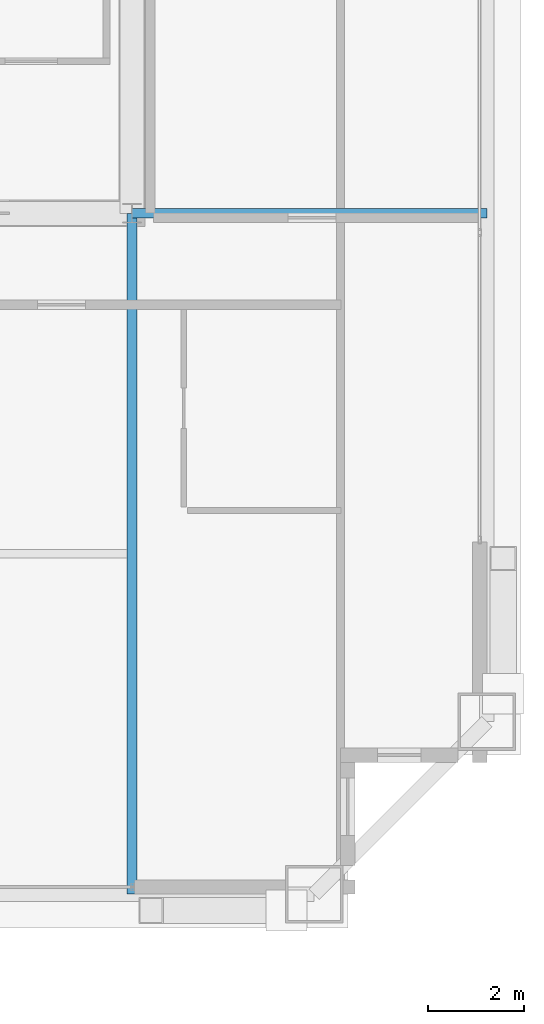
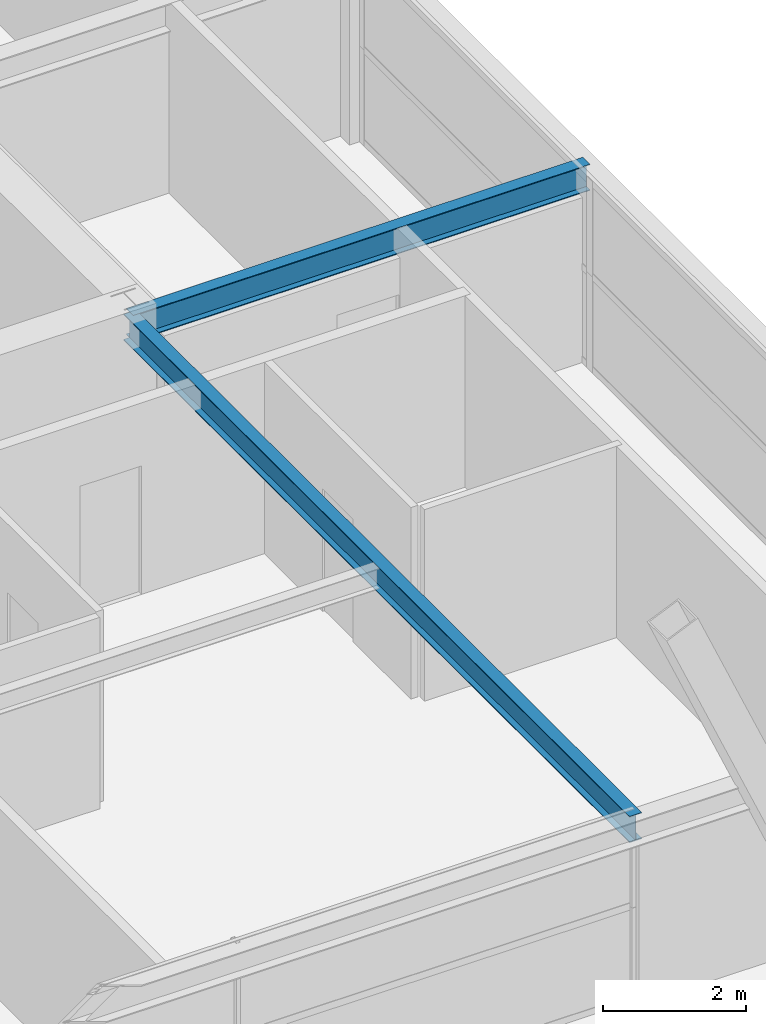
# One storey, part 14 of 34: 2 beams.
"""IFC4 building model written with IfcOpenShell, lengths in metres."""

import ifcopenshell
import ifcopenshell.guid

model = None  # the IFC model being written
_history = None  # IfcOwnerHistory: only IFC2X3 demands one
_inside = {}  # id of a spatial element -> (the spatial element, [elements in it])
_under = {}  # id of a project, library or spatial element -> (it, [spatial elements below it])
_declared = {}  # id of a project -> (the project, [libraries it declares])
_typed = {}  # id of a type object -> (the type object, [elements of that type])
_made_of = {}  # id of a material, layer set ... -> (it, [elements and type objects made of it])


def new_model(schema):
    """Start an empty IFC model of exactly this schema.

    Asked for "IFC4X3", IfcOpenShell would pick the latest addendum, in which some entities
    have other attributes; the version numbers below select the first issue.
    IFC2X3 requires an IfcOwnerHistory on every rooted entity: one is made here for all.
    """
    global model, _history
    if schema == "IFC4X3":
        model = ifcopenshell.file(schema_version=(4, 3, 0, 0))
    else:
        model = ifcopenshell.file(schema=schema)
    _inside.clear()
    _under.clear()
    _declared.clear()
    _typed.clear()
    _made_of.clear()
    _history = None
    if model.schema == "IFC2X3":
        org = make("IfcOrganization", Name="unknown")
        user = make(
            "IfcPersonAndOrganization",
            ThePerson=make("IfcPerson", FamilyName="unknown"),
            TheOrganization=org,
        )
        app = make(
            "IfcApplication",
            ApplicationDeveloper=org,
            Version="unknown",
            ApplicationFullName="unknown",
            ApplicationIdentifier="unknown",
        )
        _history = make(
            "IfcOwnerHistory",
            OwningUser=user,
            OwningApplication=app,
            ChangeAction="ADDED",
            CreationDate=0,
        )
    return model


def make(cls, **values):
    """One entity of the class cls with the attributes given. An attribute that is None is left unset."""
    return model.create_entity(
        cls, **{name: value for name, value in values.items() if value is not None}
    )


def rooted(cls, **values):
    """An entity with a GlobalId (a new one), such as an element, a storey or a relation."""
    return make(cls, GlobalId=ifcopenshell.guid.new(), OwnerHistory=_history, **values)


def si_unit(unit_type, name, prefix=None):
    """IfcSIUnit, for example si_unit("LENGTHUNIT", "METRE", prefix="MILLI")."""
    return make("IfcSIUnit", UnitType=unit_type, Prefix=prefix, Name=name)


def assignment(units):
    """IfcUnitAssignment: the units of a project."""
    return None if units is None else make("IfcUnitAssignment", Units=units)


def point(xyz):
    """IfcCartesianPoint."""
    return None if xyz is None else make("IfcCartesianPoint", Coordinates=xyz)


def direction(xyz):
    """IfcDirection."""
    return None if xyz is None else make("IfcDirection", DirectionRatios=xyz)


def frame(location, z_axis=None, x_axis=None):
    """IfcAxis2Placement3D, a coordinate frame: its origin and axes. An axis left out is left unset."""
    return make(
        "IfcAxis2Placement3D",
        Location=point(location),
        Axis=direction(z_axis),
        RefDirection=direction(x_axis),
    )


def frame_2d(location, x_axis=None):
    """IfcAxis2Placement2D, a coordinate frame in the plane: its origin and x axis."""
    return make(
        "IfcAxis2Placement2D", Location=point(location), RefDirection=direction(x_axis)
    )


def origin():
    """The frame at (0, 0, 0) with its axes left unset."""
    return frame((0.0, 0.0, 0.0))


def origin_2d():
    """The frame at (0, 0) in the plane with its x axis left unset."""
    return frame_2d((0.0, 0.0))


def place(relative_to, where):
    """IfcLocalPlacement: puts the frame where relative to a parent placement (None: the world)."""
    return make(
        "IfcLocalPlacement", PlacementRelTo=relative_to, RelativePlacement=where
    )


def context(
    kind, dimensions, precision=None, world=None, true_north=None, identifier=None
):
    """IfcGeometricRepresentationContext, for example the 3D "Model" context."""
    return make(
        "IfcGeometricRepresentationContext",
        ContextIdentifier=identifier,
        ContextType=kind,
        CoordinateSpaceDimension=dimensions,
        Precision=precision,
        WorldCoordinateSystem=world,
        TrueNorth=true_north,
    )


def subcontext(parent, identifier, kind, view, scale=None):
    """IfcGeometricRepresentationSubContext, for example "Body" below "Model"."""
    return make(
        "IfcGeometricRepresentationSubContext",
        ContextIdentifier=identifier,
        ContextType=kind,
        ParentContext=parent,
        TargetScale=scale,
        TargetView=view,
    )


def project(units=None, contexts=None):
    """IfcProject with its units and contexts."""
    return rooted(
        "IfcProject",
        Name="project",
        RepresentationContexts=contexts,
        UnitsInContext=assignment(units),
    )


def spatial(cls, under=None, at=None, **own):
    """A site, building, storey or space (cls), placed at a placement, below another one or the project."""
    s = rooted(cls, ObjectPlacement=at, **own)
    if under is not None:
        _under.setdefault(under.id(), (under, []))[1].append(s)
    return s


def profile(cls, at=None, kind="AREA", **sizes):
    """A parametric profile (cls). Its sizes go by their IFC names, for example OverallWidth=200.0."""
    return make(cls, ProfileType=kind, Position=at, **sizes)


def i_section(**sizes):
    """IfcIShapeProfileDef."""
    return profile("IfcIShapeProfileDef", **sizes)


def extrude(swept, where, along, depth):
    """IfcExtrudedAreaSolid: the profile swept, set in the frame where, extruded along a direction by depth."""
    return make(
        "IfcExtrudedAreaSolid",
        SweptArea=swept,
        Position=where,
        ExtrudedDirection=direction(along),
        Depth=depth,
    )


def shape(context_of_items, identifier, shape_type, items):
    """IfcShapeRepresentation: the items that make up one representation, for example the "Body"."""
    return make(
        "IfcShapeRepresentation",
        ContextOfItems=context_of_items,
        RepresentationIdentifier=identifier,
        RepresentationType=shape_type,
        Items=items,
    )


def source(mapping_origin, context_of_items, identifier, shape_type, items):
    """IfcRepresentationMap: a shape defined once, which mapped items show again and again."""
    return make(
        "IfcRepresentationMap",
        MappingOrigin=mapping_origin,
        MappedRepresentation=shape(context_of_items, identifier, shape_type, items),
    )


def transform(
    local_origin,
    x_axis=None,
    y_axis=None,
    z_axis=None,
    scale=None,
    scale2=None,
    scale3=None,
    uniform=True,
):
    """IfcCartesianTransformationOperator3D, or its non-uniform kind. x_axis, y_axis, z_axis: its Axis1, 2, 3."""
    if uniform:
        return make(
            "IfcCartesianTransformationOperator3D",
            Axis1=direction(x_axis),
            Axis2=direction(y_axis),
            LocalOrigin=point(local_origin),
            Scale=scale,
            Axis3=direction(z_axis),
        )
    return make(
        "IfcCartesianTransformationOperator3DnonUniform",
        Axis1=direction(x_axis),
        Axis2=direction(y_axis),
        LocalOrigin=point(local_origin),
        Scale=scale,
        Axis3=direction(z_axis),
        Scale2=scale2,
        Scale3=scale3,
    )


def mapped(mapping_source, mapping_target):
    """IfcMappedItem: shows the shape of a source again, moved by a transform."""
    return make(
        "IfcMappedItem", MappingSource=mapping_source, MappingTarget=mapping_target
    )


def material(Name=None, Category=None):
    """IfcMaterial."""
    return make("IfcMaterial", Name=Name, Category=Category)


def material_profile(
    of_material, cross_section, Name=None, Category=None, Priority=None
):
    """IfcMaterialProfile: a cross section and its material."""
    return make(
        "IfcMaterialProfile",
        Name=Name,
        Material=of_material,
        Profile=cross_section,
        Priority=Priority,
        Category=Category,
    )


def profile_set(profiles, Name=None, composite=None):
    """IfcMaterialProfileSet."""
    return make(
        "IfcMaterialProfileSet",
        Name=Name,
        MaterialProfiles=profiles,
        CompositeProfile=composite,
    )


def made_of(thing, what):
    """Note that an element or type object is made of a material, layer set ...; save() writes the relation."""
    if what is not None:
        _made_of.setdefault(what.id(), (what, []))[1].append(thing)
    return thing


def type_object(cls, material=None, **own):
    """A type object (cls), such as IfcWallType, which elements share."""
    return made_of(rooted(cls, **own), material)


def element(
    cls,
    number,
    at=None,
    inside=None,
    cuts=None,
    type_object=None,
    material=None,
    context=None,
    identifier="Body",
    shape_type=None,
    held_by="IfcProductDefinitionShape",
    body=None,
    shapes=None,
    **own,
):
    """One element of the class cls, such as IfcWall. Its Tag is "e" and its number.

    at: its placement. inside: the storey or other place that contains it. cuts: it is an
    opening in that element (IfcRelVoidsElement). A single representation is given by context,
    identifier, shape_type and body (its items); several are given by shapes. held_by: the class
    of the entity that holds the representations. save() writes the other relations.
    """
    e = rooted(cls, Tag="e%d" % number, ObjectPlacement=at, **own)
    if body is not None:
        shapes = [shape(context, identifier, shape_type, body)]
    if shapes is not None:
        e.Representation = make(held_by, Representations=shapes)
    if inside is not None:
        _inside.setdefault(inside.id(), (inside, []))[1].append(e)
    if cuts is not None:
        rooted(
            "IfcRelVoidsElement", RelatingBuildingElement=cuts, RelatedOpeningElement=e
        )
    if type_object is not None:
        _typed.setdefault(type_object.id(), (type_object, []))[1].append(e)
    return made_of(e, material)


def aggregate(whole, parts):
    """IfcRelAggregates: a whole, such as a stair, and the parts it consists of."""
    return rooted("IfcRelAggregates", RelatingObject=whole, RelatedObjects=parts)


def save(model, path):
    """Write the relations noted so far, then the file.

    IfcRelAggregates (storeys below a building ...), IfcRelContainedInSpatialStructure (elements
    in a storey), IfcRelDefinesByType, IfcRelAssociatesMaterial and IfcRelDeclares: one each for
    every whole, place, type object, material and project.
    """
    for whole, parts in _under.values():
        aggregate(whole, parts)
    for where, things in _inside.values():
        rooted(
            "IfcRelContainedInSpatialStructure",
            RelatedElements=things,
            RelatingStructure=where,
        )
    for kind, things in _typed.values():
        rooted("IfcRelDefinesByType", RelatedObjects=things, RelatingType=kind)
    for what, things in _made_of.values():
        rooted("IfcRelAssociatesMaterial", RelatedObjects=things, RelatingMaterial=what)
    for by, libraries in _declared.values():
        rooted("IfcRelDeclares", RelatingContext=by, RelatedDefinitions=libraries)
    model.write(path)


model = new_model("IFC4")

# Units and contexts
model_context = context("Model", 3, precision=1e-05, world=origin(), true_north=direction((0.0, 1.0)))
body_context = subcontext(model_context, "Body", "Model", "MODEL_VIEW")
ifc_project = project(units=[si_unit("LENGTHUNIT", "METRE"), si_unit("AREAUNIT", "SQUARE_METRE"), si_unit("VOLUMEUNIT", "CUBIC_METRE"), si_unit("PLANEANGLEUNIT", "RADIAN"), si_unit("MASSUNIT", "GRAM", prefix="KILO"), si_unit("THERMODYNAMICTEMPERATUREUNIT", "KELVIN"), si_unit("POWERUNIT", "WATT")], contexts=[model_context])

# Site, building, storey
site_placement = place(None, origin())
site = spatial("IfcSite", under=ifc_project, at=site_placement, CompositionType="ELEMENT")
building_placement = place(site_placement, origin())
building = spatial("IfcBuilding", under=site, at=building_placement, Name="Yuzanri Waterfront Tower", CompositionType="ELEMENT")
storey_placement = place(building_placement, frame((0.0, 0.0, 241.60009765625)))
storey = spatial("IfcBuildingStorey", under=building, at=storey_placement, Name="L64", CompositionType="ELEMENT", Elevation=241.60009765625)

# Beams
ifc_material = material(Name="Steel Q355B", Category="steel")
ifc_material_profile = material_profile(ifc_material, i_section(OverallWidth=0.199951171875, OverallDepth=0.449951171875, WebThickness=0.009033203125, FlangeThickness=0.013916015625, at=origin_2d()), Name="HN 450x200x9x14")
ifc_profile_set = profile_set([ifc_material_profile], Name="Steel Q355B")
beam_type = type_object("IfcBeamType", Name="Secondary Floor Beam Q355B HN 450x200", PredefinedType="BEAM", material=ifc_profile_set)
shared_shape_1 = source(origin(), body_context, "Body", "SweptSolid", [
    extrude(i_section(OverallWidth=0.199951171875, OverallDepth=0.449951171875, WebThickness=0.009033203125, FlangeThickness=0.013916015625, at=origin_2d()), origin(), (0.0, 0.0, 1.0), 14.199951171875),
])
beam_1_placement = place(storey_placement, frame((50.199951171875, 19.39990234375, 3.054931640625), z_axis=(0.0, -1.0, 0.0), x_axis=(1.0, 0.0, 0.0)))
element("IfcBeam", 1, at=beam_1_placement, inside=storey, type_object=beam_type, Name="L64 South-East Core Line Beam", PredefinedType="BEAM", context=body_context, shape_type="MappedRepresentation", body=[
    mapped(shared_shape_1, transform((0.0, 0.0, 0.0), scale=1.0)),
])
shared_shape_2 = source(origin(), body_context, "Body", "SweptSolid", [
    extrude(i_section(OverallWidth=0.199951171875, OverallDepth=0.449951171875, WebThickness=0.009033203125, FlangeThickness=0.013916015625, at=origin_2d()), origin(), (0.0, 0.0, 1.0), 7.400146484375),
])
beam_2_placement = place(storey_placement, frame((50.199951171875, 19.39990234375, 3.054931640625), z_axis=(1.0, 0.0, 0.0), x_axis=(0.0, 1.0, 0.0)))
element("IfcBeam", 2, at=beam_2_placement, inside=storey, type_object=beam_type, Name="L64 East-South Core Line Beam", PredefinedType="BEAM", context=body_context, shape_type="MappedRepresentation", body=[
    mapped(shared_shape_2, transform((0.0, 0.0, 0.0), scale=1.0)),
])

save(model, "model.ifc")
